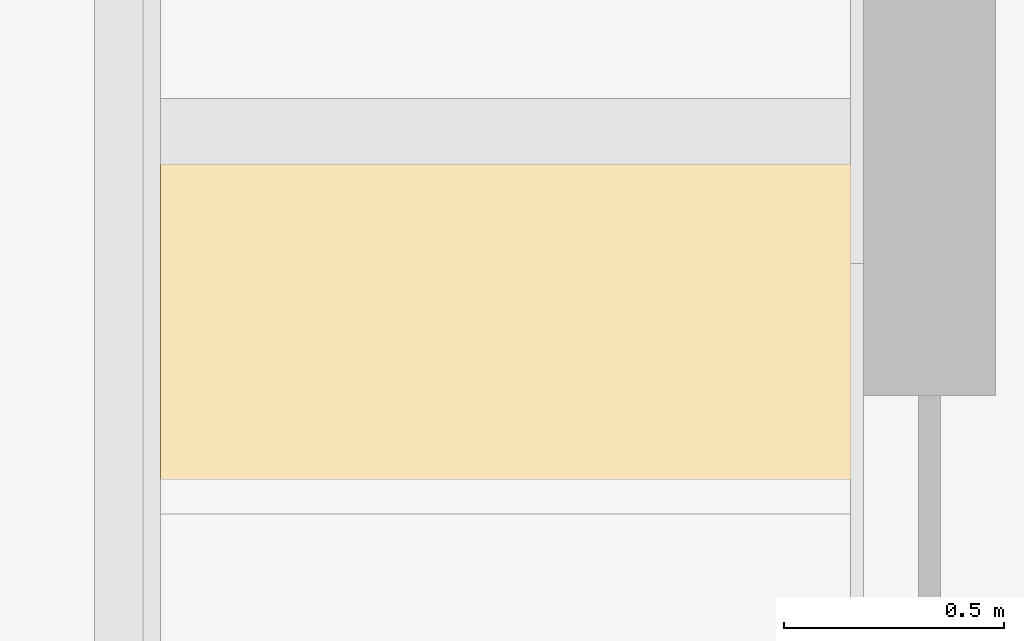
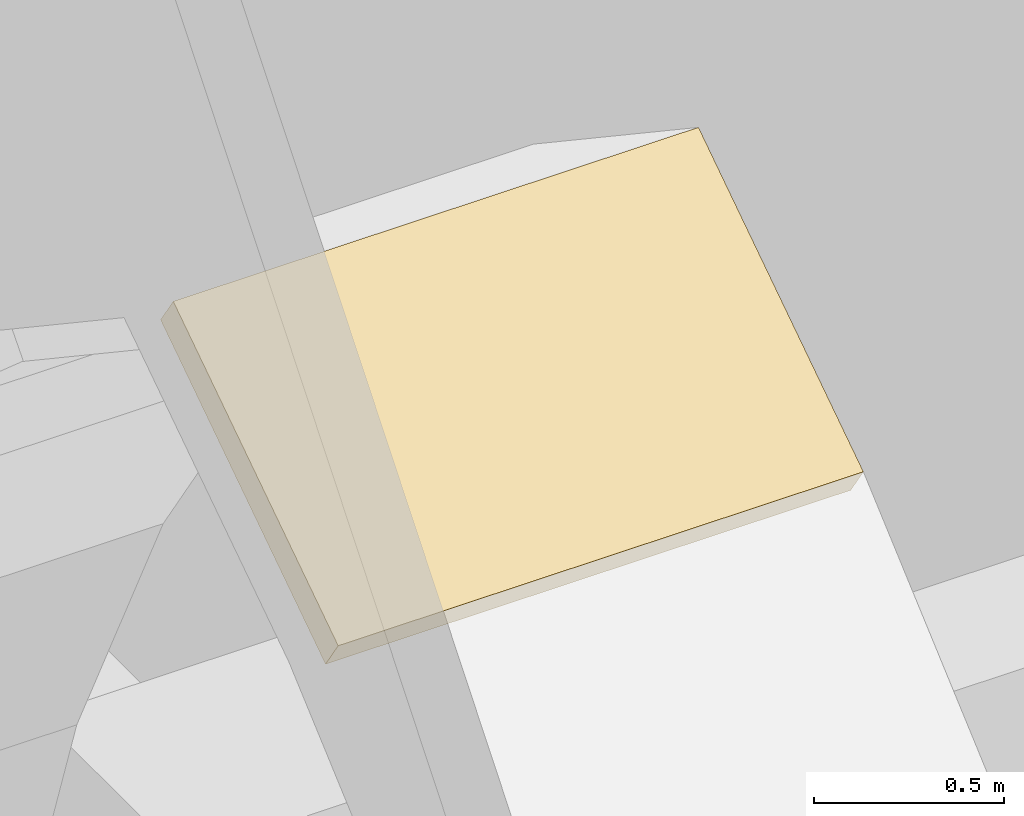
# One storey, part 54 of 64: 1 covering.
"""IFC4 building model written with IfcOpenShell, lengths in metres."""

from ifc_helpers import new_model, si_unit, direction, frame, origin, place, context, subcontext, project, spatial, polyline, outline, extrude, material, layer, layer_set, type_object, element, save


model = new_model("IFC4")

# Units and contexts
model_context = context("Model", 3, precision=1e-05, world=origin(), true_north=direction((0.0, 1.0)))
body_context = subcontext(model_context, "Body", "Model", "MODEL_VIEW")
ifc_project = project(units=[si_unit("LENGTHUNIT", "METRE"), si_unit("AREAUNIT", "SQUARE_METRE"), si_unit("VOLUMEUNIT", "CUBIC_METRE"), si_unit("PLANEANGLEUNIT", "RADIAN"), si_unit("MASSUNIT", "GRAM", prefix="KILO")], contexts=[model_context])

# Site, building, storey
site_placement = place(None, origin())
site = spatial("IfcSite", under=ifc_project, at=site_placement, CompositionType="ELEMENT")
building_placement = place(site_placement, origin())
building = spatial("IfcBuilding", under=site, at=building_placement, Name="Tessera Arch", CompositionType="ELEMENT")
storey_placement = place(building_placement, origin())
storey = spatial("IfcBuildingStorey", under=building, at=storey_placement, Name="L00", CompositionType="ELEMENT", Elevation=0.0)

# Covering
ifc_material = material(Name="Anodised aluminium pale metal", Category="aluminium")
ifc_layer = layer(ifc_material, 0.1201171875)
ifc_layer_set = layer_set([ifc_layer], Name="Museum iwan reveal plate")
covering_type = type_object("IfcCoveringType", Name="Museum iwan reveal plate", PredefinedType="CLADDING", material=ifc_layer_set)
covering_placement = place(storey_placement, frame((-32.550048828125, 31.949951171875, 12.5283203125), z_axis=(0.0, -0.555668822075, 0.831403728747), x_axis=(0.0, -0.831403728747, -0.555668822075)))
element("IfcCovering", 1, at=covering_placement, inside=storey, type_object=covering_type, Name="Museum entrance iwan reveal 10", PredefinedType="CLADDING", context=body_context, shape_type="SweptSolid", body=[
    extrude(outline(polyline([(0.0, 0.0), (1.0465639705653325, 0.0), (1.0465639705653325, -1.599853515625), (0.0, -1.599853515625), (0.0, 0.0)])), origin(), (0.0, 0.0, -1.0), 0.1201171875),
])

save(model, "model.ifc")
